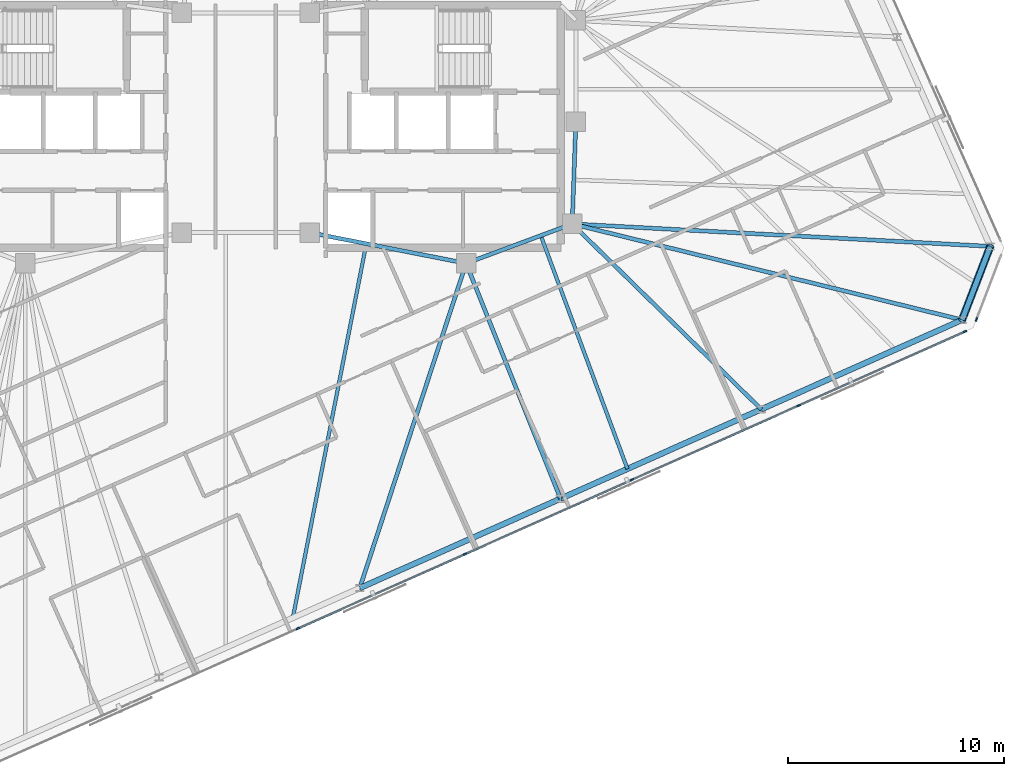
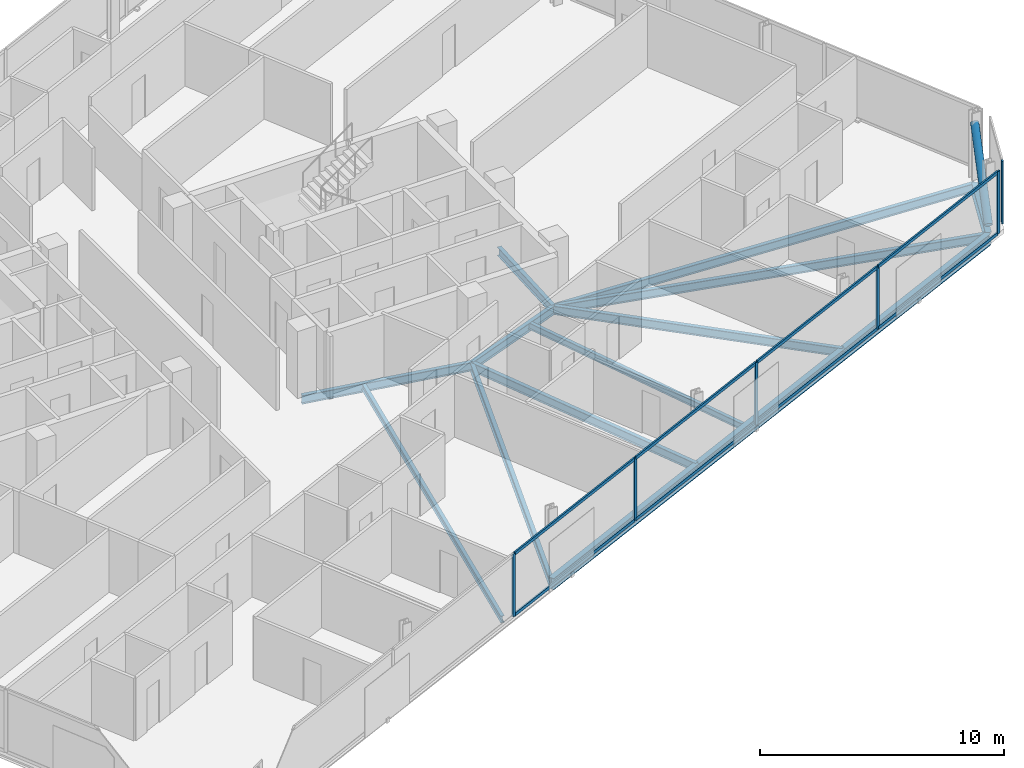
# One storey, part 7 of 19: 15 members, 14 beams, 2 elements without a shape of their own.
"""IFC4 building model written with IfcOpenShell, lengths in metres."""

from ifc_helpers import new_model, si_unit, direction, frame, origin, origin_2d, place, context, subcontext, project, spatial, rectangle, hollow_circle, i_section, extrude, material, material_profile, profile_set, type_object, element, aggregate, save


model = new_model("IFC4")

# Units and contexts
model_context = context("Model", 3, precision=1e-05, world=origin(), true_north=direction((0.0, 1.0)))
body_context = subcontext(model_context, "Body", "Model", "MODEL_VIEW")
ifc_project = project(units=[si_unit("LENGTHUNIT", "METRE"), si_unit("AREAUNIT", "SQUARE_METRE"), si_unit("VOLUMEUNIT", "CUBIC_METRE"), si_unit("PLANEANGLEUNIT", "RADIAN"), si_unit("MASSUNIT", "GRAM", prefix="KILO")], contexts=[model_context])

# Site, building, storey
site_placement = place(None, origin())
site = spatial("IfcSite", under=ifc_project, at=site_placement, CompositionType="ELEMENT")
building_placement = place(site_placement, origin())
building = spatial("IfcBuilding", under=site, at=building_placement, Name="Menara Jurai Vektor", CompositionType="ELEMENT")
storey_placement = place(building_placement, frame((0.0, 0.0, 295.300048828125)))
storey = spatial("IfcBuildingStorey", under=building, at=storey_placement, Name="L79", CompositionType="ELEMENT", Elevation=295.300048828125)

# Curtain wall, members
ifc_material_1 = material(Name="Anodised Pale Aluminium & Low-E Double Glazing", Category="aluminium")
curtain_wall_type = type_object("IfcCurtainWallType", Name="CW-BLK5", PredefinedType="NOTDEFINED", material=ifc_material_1)
curtain_wall_1_placement = place(storey_placement, origin())
curtain_wall_1 = element("IfcCurtainWall", 1, at=curtain_wall_1_placement, inside=storey, type_object=curtain_wall_type, Name="Unitised Curtain Wall L79 F01", PredefinedType="NOTDEFINED")
ifc_material_2 = material(Name="Anodised Pale Aluminium Mullion", Category="aluminium")
ifc_material_profile_1 = material_profile(ifc_material_2, rectangle(XDim=0.074951171875, YDim=0.175048828125, at=origin_2d()), Name="ALU MUL 75x175")
ifc_profile_set_1 = profile_set([ifc_material_profile_1], Name="Anodised Pale Aluminium Mullion")
member_type_1 = type_object("IfcMemberType", Name="CW-BLK5-MUL", PredefinedType="MULLION", material=ifc_profile_set_1)
member_1_placement = place(storey_placement, frame((2.417724609375, -23.190185546875, 0.0), z_axis=(0.0, 0.0, 1.0), x_axis=(-0.406735498684, 0.913545967158, 0.0)))
member_1 = element("IfcMember", 2, at=member_1_placement, type_object=member_type_1, Name="CW-05 mullion 3", PredefinedType="MULLION", context=body_context, shape_type="SweptSolid", body=[
    extrude(rectangle(XDim=0.074951171875, YDim=0.175048828125, at=origin_2d()), origin(), (0.0, 0.0, 1.0), 3.125),
])
member_2_placement = place(storey_placement, frame((10.1279296875, -19.75732421875, 0.0), z_axis=(0.0, 0.0, 1.0), x_axis=(-0.406735498684, 0.913545967158, 0.0)))
member_2 = element("IfcMember", 3, at=member_2_placement, type_object=member_type_1, Name="CW-05 mullion 4", PredefinedType="MULLION", context=body_context, shape_type="SweptSolid", body=[
    extrude(rectangle(XDim=0.074951171875, YDim=0.175048828125, at=origin_2d()), origin(), (0.0, 0.0, 1.0), 3.125),
])
member_3_placement = place(storey_placement, frame((17.83837890625, -16.324462890625, 0.0), z_axis=(0.0, 0.0, 1.0), x_axis=(-0.406735498684, 0.913545967158, 0.0)))
member_3 = element("IfcMember", 4, at=member_3_placement, type_object=member_type_1, Name="CW-05 mullion 5", PredefinedType="MULLION", context=body_context, shape_type="SweptSolid", body=[
    extrude(rectangle(XDim=0.074951171875, YDim=0.175048828125, at=origin_2d()), origin(), (0.0, 0.0, 1.0), 3.125),
])
member_4_placement = place(storey_placement, frame((25.548583984375, -12.8916015625, 0.0), z_axis=(0.0, 0.0, 1.0), x_axis=(-0.406735498684, 0.913545967158, 0.0)))
member_4 = element("IfcMember", 5, at=member_4_placement, type_object=member_type_1, Name="CW-05 mullion 6", PredefinedType="MULLION", context=body_context, shape_type="SweptSolid", body=[
    extrude(rectangle(XDim=0.074951171875, YDim=0.175048828125, at=origin_2d()), origin(), (0.0, 0.0, 1.0), 3.125),
])
member_5_placement = place(storey_placement, frame((33.224853515625, -9.47412109375, 0.0), z_axis=(0.0, 0.0, 1.0), x_axis=(-0.406735498684, 0.913545967158, 0.0)))
member_5 = element("IfcMember", 6, at=member_5_placement, type_object=member_type_1, Name="CW-05 mullion 7", PredefinedType="MULLION", context=body_context, shape_type="SweptSolid", body=[
    extrude(rectangle(XDim=0.074951171875, YDim=0.175048828125, at=origin_2d()), origin(), (0.0, 0.0, 1.0), 3.125),
])

# Curtain wall, member
curtain_wall_2_placement = place(storey_placement, origin())
curtain_wall_2 = element("IfcCurtainWall", 7, at=curtain_wall_2_placement, inside=storey, type_object=curtain_wall_type, Name="Unitised Curtain Wall L79 F02", PredefinedType="NOTDEFINED")
member_6_placement = place(storey_placement, frame((33.755859375, -8.914306640625, 0.0), z_axis=(0.0, 0.0, 1.0), x_axis=(-0.933578193639, 0.358373766287, 0.0)))
member_6 = element("IfcMember", 8, at=member_6_placement, type_object=member_type_1, Name="CW-05 mullion 1", PredefinedType="MULLION", context=body_context, shape_type="SweptSolid", body=[
    extrude(rectangle(XDim=0.074951171875, YDim=0.175048828125, at=origin_2d()), origin(), (0.0, 0.0, 1.0), 3.125),
])
aggregate(curtain_wall_2, [member_6])

# Member
ifc_material_3 = material(Name="Anodised Pale Aluminium Transom", Category="aluminium")
ifc_material_profile_2 = material_profile(ifc_material_3, rectangle(XDim=0.074951171875, YDim=0.155029296875, at=origin_2d()), Name="ALU TRN 75x155")
ifc_profile_set_2 = profile_set([ifc_material_profile_2], Name="Anodised Pale Aluminium Transom")
member_type_2 = type_object("IfcMemberType", Name="CW-BLK5-TRN", PredefinedType="USERDEFINED", material=ifc_profile_set_2)
member_7_placement = place(storey_placement, frame((2.451904296875, -23.175048828125, 0.037353515625), z_axis=(0.913546575494, 0.406734132331, 0.0), x_axis=(-0.406734132331, 0.913546575494, 0.0)))
member_7 = element("IfcMember", 9, at=member_7_placement, type_object=member_type_2, Name="CW-05 transom 3.1", ObjectType="TRANSOM", PredefinedType="USERDEFINED", context=body_context, shape_type="SweptSolid", body=[
    extrude(rectangle(XDim=0.074951171875, YDim=0.155029296875, at=origin_2d()), origin(), (0.0, 0.0, 1.0), 8.364990234375),
])

member_8_placement = place(storey_placement, frame((2.451904296875, -23.175048828125, 3.08740234375), z_axis=(0.913546575494, 0.406734132331, 0.0), x_axis=(-0.406734132331, 0.913546575494, 0.0)))
member_8 = element("IfcMember", 10, at=member_8_placement, type_object=member_type_2, Name="CW-05 transom 3.2", ObjectType="TRANSOM", PredefinedType="USERDEFINED", context=body_context, shape_type="SweptSolid", body=[
    extrude(rectangle(XDim=0.074951171875, YDim=0.155029296875, at=origin_2d()), origin(), (0.0, 0.0, 1.0), 8.364990234375),
])

member_9_placement = place(storey_placement, frame((10.162353515625, -19.7421875, 0.037353515625), z_axis=(0.913541747007, 0.406744977198, 0.0), x_axis=(-0.406744977198, 0.913541747007, 0.0)))
member_9 = element("IfcMember", 11, at=member_9_placement, type_object=member_type_2, Name="CW-05 transom 4.1", ObjectType="TRANSOM", PredefinedType="USERDEFINED", context=body_context, shape_type="SweptSolid", body=[
    extrude(rectangle(XDim=0.074951171875, YDim=0.155029296875, at=origin_2d()), origin(), (0.0, 0.0, 1.0), 8.36474609375),
])

member_10_placement = place(storey_placement, frame((10.162353515625, -19.7421875, 3.08740234375), z_axis=(0.913541747007, 0.406744977198, 0.0), x_axis=(-0.406744977198, 0.913541747007, 0.0)))
member_10 = element("IfcMember", 12, at=member_10_placement, type_object=member_type_2, Name="CW-05 transom 4.2", ObjectType="TRANSOM", PredefinedType="USERDEFINED", context=body_context, shape_type="SweptSolid", body=[
    extrude(rectangle(XDim=0.074951171875, YDim=0.155029296875, at=origin_2d()), origin(), (0.0, 0.0, 1.0), 8.36474609375),
])

member_11_placement = place(storey_placement, frame((17.87255859375, -16.309326171875, 0.037353515625), z_axis=(0.913546575494, 0.406734132331, 0.0), x_axis=(-0.406734132331, 0.913546575494, 0.0)))
member_11 = element("IfcMember", 13, at=member_11_placement, type_object=member_type_2, Name="CW-05 transom 5.1", ObjectType="TRANSOM", PredefinedType="USERDEFINED", context=body_context, shape_type="SweptSolid", body=[
    extrude(rectangle(XDim=0.074951171875, YDim=0.155029296875, at=origin_2d()), origin(), (0.0, 0.0, 1.0), 8.364990234375),
])

member_12_placement = place(storey_placement, frame((17.87255859375, -16.309326171875, 3.08740234375), z_axis=(0.913546575494, 0.406734132331, 0.0), x_axis=(-0.406734132331, 0.913546575494, 0.0)))
member_12 = element("IfcMember", 14, at=member_12_placement, type_object=member_type_2, Name="CW-05 transom 5.2", ObjectType="TRANSOM", PredefinedType="USERDEFINED", context=body_context, shape_type="SweptSolid", body=[
    extrude(rectangle(XDim=0.074951171875, YDim=0.155029296875, at=origin_2d()), origin(), (0.0, 0.0, 1.0), 8.364990234375),
])

member_13_placement = place(storey_placement, frame((25.5830078125, -12.87646484375, 0.037353515625), z_axis=(0.91353811338, 0.406753138159, 0.0), x_axis=(-0.406753138159, 0.91353811338, 0.0)))
member_13 = element("IfcMember", 15, at=member_13_placement, type_object=member_type_2, Name="CW-05 transom 6.1", ObjectType="TRANSOM", PredefinedType="USERDEFINED", context=body_context, shape_type="SweptSolid", body=[
    extrude(rectangle(XDim=0.074951171875, YDim=0.155029296875, at=origin_2d()), origin(), (0.0, 0.0, 1.0), 8.327392578125),
])

member_14_placement = place(storey_placement, frame((25.5830078125, -12.87646484375, 3.08740234375), z_axis=(0.91353811338, 0.406753138159, 0.0), x_axis=(-0.406753138159, 0.91353811338, 0.0)))
member_14 = element("IfcMember", 16, at=member_14_placement, type_object=member_type_2, Name="CW-05 transom 6.2", ObjectType="TRANSOM", PredefinedType="USERDEFINED", context=body_context, shape_type="SweptSolid", body=[
    extrude(rectangle(XDim=0.074951171875, YDim=0.155029296875, at=origin_2d()), origin(), (0.0, 0.0, 1.0), 8.327392578125),
])

aggregate(curtain_wall_1, [member_1, member_2, member_3, member_4, member_5, member_7, member_8, member_9, member_10, member_11, member_12, member_13, member_14])

# Beams
ifc_material_4 = material(Name="Steel S355", Category="steel")
ifc_material_profile_3 = material_profile(ifc_material_4, i_section(OverallWidth=0.18505859375, OverallDepth=0.429931640625, WebThickness=0.010986328125, FlangeThickness=0.01806640625, at=origin_2d()), Name="PG 430x185x76")
ifc_profile_set_3 = profile_set([ifc_material_profile_3], Name="Steel S355")
beam_type_1 = type_object("IfcBeamType", Name="STR-BM-430", PredefinedType="BEAM", material=ifc_profile_set_3)
beam_1_placement = place(storey_placement, frame((15.080078125, -4.5, -0.43994140625), z_axis=(0.035977314146, 0.999352606874, 0.0), x_axis=(-0.999352606874, 0.035977314146, 0.0)))
element("IfcBeam", 17, at=beam_1_placement, inside=storey, type_object=beam_type_1, Name="Core Ring Header Girder L79-CHE-E2", PredefinedType="BEAM", context=body_context, shape_type="SweptSolid", body=[
    extrude(i_section(OverallWidth=0.18505859375, OverallDepth=0.429931640625, WebThickness=0.010986328125, FlangeThickness=0.01806640625, at=origin_2d()), origin(), (0.0, 0.0, 1.0), 4.72314453125),
])
beam_2_placement = place(storey_placement, frame((10.179931640625, -6.320068359375, -0.43994140625), z_axis=(0.937424400887, 0.348188874925, 0.0), x_axis=(-0.348188874925, 0.937424400887, 0.0)))
element("IfcBeam", 18, at=beam_2_placement, inside=storey, type_object=beam_type_1, Name="Core Ring Header Girder L79-CHE-S1", PredefinedType="BEAM", context=body_context, shape_type="SweptSolid", body=[
    extrude(i_section(OverallWidth=0.18505859375, OverallDepth=0.429931640625, WebThickness=0.010986328125, FlangeThickness=0.01806640625, at=origin_2d()), origin(), (0.0, 0.0, 1.0), 5.227294921875),
])
beam_3_placement = place(storey_placement, frame((2.949951171875, -4.89990234375, -0.43994140625), z_axis=(0.981249044334, -0.192744164614, 0.0), x_axis=(0.192744164614, 0.981249044334, 0.0)))
element("IfcBeam", 19, at=beam_3_placement, inside=storey, type_object=beam_type_1, Name="Core Ring Header Girder L79-CHE-S2", PredefinedType="BEAM", context=body_context, shape_type="SweptSolid", body=[
    extrude(i_section(OverallWidth=0.18505859375, OverallDepth=0.429931640625, WebThickness=0.010986328125, FlangeThickness=0.01806640625, at=origin_2d()), origin(), (0.0, 0.0, 1.0), 7.3681640625),
])
beam_4_placement = place(storey_placement, frame((5.267578125, -21.3193359375, -0.43994140625), z_axis=(0.311239486704, 0.950331511587, 0.0), x_axis=(-0.950331511587, 0.311239486704, 0.0)))
element("IfcBeam", 20, at=beam_4_placement, inside=storey, type_object=beam_type_1, Name="Radial Floor Girder L79-S3", PredefinedType="BEAM", context=body_context, shape_type="SweptSolid", body=[
    extrude(i_section(OverallWidth=0.18505859375, OverallDepth=0.429931640625, WebThickness=0.010986328125, FlangeThickness=0.01806640625, at=origin_2d()), origin(), (0.0, 0.0, 1.0), 15.783203125),
])
beam_5_placement = place(storey_placement, frame((14.541015625, -17.1904296875, -0.43994140625), z_axis=(-0.372342852726, 0.928095253745, 0.0), x_axis=(-0.928095253745, -0.372342852726, 0.0)))
element("IfcBeam", 21, at=beam_5_placement, inside=storey, type_object=beam_type_1, Name="Radial Floor Girder L79-S4", PredefinedType="BEAM", context=body_context, shape_type="SweptSolid", body=[
    extrude(i_section(OverallWidth=0.18505859375, OverallDepth=0.429931640625, WebThickness=0.010986328125, FlangeThickness=0.01806640625, at=origin_2d()), origin(), (0.0, 0.0, 1.0), 11.712646484375),
])
beam_6_placement = place(storey_placement, frame((23.814697265625, -13.061767578125, -0.43994140625), z_axis=(-0.714137598149, 0.70000535063, 0.0), x_axis=(-0.70000535063, -0.714137598149, 0.0)))
element("IfcBeam", 22, at=beam_6_placement, inside=storey, type_object=beam_type_1, Name="Radial Floor Girder L79-S5", PredefinedType="BEAM", context=body_context, shape_type="SweptSolid", body=[
    extrude(i_section(OverallWidth=0.18505859375, OverallDepth=0.429931640625, WebThickness=0.010986328125, FlangeThickness=0.01806640625, at=origin_2d()), origin(), (0.0, 0.0, 1.0), 12.23095703125),
])
beam_7_placement = place(storey_placement, frame((33.088134765625, -8.932861328125, -0.43994140625), z_axis=(-0.971013515776, 0.239024584888, 0.0), x_axis=(-0.239024584888, -0.971013515776, 0.0)))
element("IfcBeam", 23, at=beam_7_placement, inside=storey, type_object=beam_type_1, Name="Radial Floor Girder L79-S6", PredefinedType="BEAM", context=body_context, shape_type="SweptSolid", body=[
    extrude(i_section(OverallWidth=0.18505859375, OverallDepth=0.429931640625, WebThickness=0.010986328125, FlangeThickness=0.01806640625, at=origin_2d()), origin(), (0.0, 0.0, 1.0), 18.545654296875),
])
beam_8_placement = place(storey_placement, frame((34.3916015625, -5.536865234375, -0.43994140625), z_axis=(-0.998561718759, 0.053614306189, 0.0), x_axis=(-0.053614306189, -0.998561718759, 0.0)))
element("IfcBeam", 24, at=beam_8_placement, inside=storey, type_object=beam_type_1, Name="Radial Floor Girder L79-E1", PredefinedType="BEAM", context=body_context, shape_type="SweptSolid", body=[
    extrude(i_section(OverallWidth=0.18505859375, OverallDepth=0.429931640625, WebThickness=0.010986328125, FlangeThickness=0.01806640625, at=origin_2d()), origin(), (0.0, 0.0, 1.0), 19.33935546875),
])

# Member
ifc_material_5 = material(Name="Steel S460", Category="steel")
ifc_material_profile_4 = material_profile(ifc_material_5, hollow_circle(Radius=0.177734375, WallThickness=0.01611328125, at=origin_2d()), Name="CHS 355.6x16")
ifc_profile_set_4 = profile_set([ifc_material_profile_4], Name="Steel S460")
member_type_3 = type_object("IfcMemberType", Name="STR-BR-356", PredefinedType="BRACE", material=ifc_profile_set_4)
member_15_placement = place(storey_placement, frame((33.088134765625, -8.932861328125, 0.14990234375), z_axis=(0.290575939475, 0.757054002265, 0.585179340931), x_axis=(-0.933592747566, 0.358335850414, 0.0)))
element("IfcMember", 25, at=member_15_placement, inside=storey, type_object=member_type_3, Name="Exoskeleton Corner Brace L79-1", PredefinedType="BRACE", context=body_context, shape_type="SweptSolid", body=[
    extrude(hollow_circle(Radius=0.177734375, WallThickness=0.01611328125, at=origin_2d()), origin(), (0.0, 0.0, 1.0), 4.48583984375),
])

# Beams
ifc_material_profile_5 = material_profile(ifc_material_4, i_section(OverallWidth=0.1650390625, OverallDepth=0.330078125, WebThickness=0.009033203125, FlangeThickness=0.013916015625, at=origin_2d()), Name="PG 330x165x46")
ifc_profile_set_5 = profile_set([ifc_material_profile_5], Name="Steel S355")
beam_type_2 = type_object("IfcBeamType", Name="STR-JS-330", PredefinedType="JOIST", material=ifc_profile_set_5)
beam_9_placement = place(storey_placement, frame((2.176513671875, -22.695556640625, -0.39013671875), z_axis=(0.192710503651, 0.981255655669, 0.0), x_axis=(-0.981255655669, 0.192710503651, 0.0)))
element("IfcBeam", 26, at=beam_9_placement, inside=storey, type_object=beam_type_2, Name="Radial Secondary Floor Joist L79-JS04", PredefinedType="JOIST", context=body_context, shape_type="SweptSolid", body=[
    extrude(i_section(OverallWidth=0.1650390625, OverallDepth=0.330078125, WebThickness=0.009033203125, FlangeThickness=0.013916015625, at=origin_2d()), origin(), (0.0, 0.0, 1.0), 17.61083984375),
])
beam_10_placement = place(storey_placement, frame((17.632080078125, -15.814208984375, -0.39013671875), z_axis=(-0.348172664726, 0.937430421705, 0.0), x_axis=(-0.937430421705, -0.348172664726, 0.0)))
element("IfcBeam", 27, at=beam_10_placement, inside=storey, type_object=beam_type_2, Name="Radial Secondary Floor Joist L79-JS05", PredefinedType="JOIST", context=body_context, shape_type="SweptSolid", body=[
    extrude(i_section(OverallWidth=0.1650390625, OverallDepth=0.330078125, WebThickness=0.009033203125, FlangeThickness=0.013916015625, at=origin_2d()), origin(), (0.0, 0.0, 1.0), 11.494873046875),
])
ifc_material_profile_6 = material_profile(ifc_material_4, i_section(OverallWidth=0.260009765625, OverallDepth=0.570068359375, WebThickness=0.013916015625, FlangeThickness=0.02392578125, at=origin_2d()), Name="PG 570x260x145")
ifc_profile_set_6 = profile_set([ifc_material_profile_6], Name="Steel S355")
beam_type_3 = type_object("IfcBeamType", Name="STR-SP-570", PredefinedType="SPANDREL", material=ifc_profile_set_6)
for number, where, z_axis, x_axis, name in (
    (28, (5.267578125, -21.3193359375, -0.510009765625), (0.913541582548, 0.406745346568, 0.0), (-0.406745346568, 0.913541582548, 0.0), "Exoskeleton Spandrel Beam L79-03"),
    (29, (14.541015625, -17.1904296875, -0.510009765625), (0.913554497648, 0.406716338284, 0.0), (-0.406716338284, 0.913554497648, 0.0), "Exoskeleton Spandrel Beam L79-04"),
    (30, (23.814697265625, -13.061767578125, -0.510009765625), (0.913541582548, 0.406745346568, 0.0), (-0.406745346568, 0.913541582548, 0.0), "Exoskeleton Spandrel Beam L79-05"),
):
    element("IfcBeam", number, at=place(storey_placement, frame(where, z_axis=z_axis, x_axis=x_axis)), inside=storey, type_object=beam_type_3, Name=name, PredefinedType="SPANDREL", context=body_context, shape_type="SweptSolid", body=[
        extrude(i_section(OverallWidth=0.260009765625, OverallDepth=0.570068359375, WebThickness=0.013916015625, FlangeThickness=0.02392578125, at=origin_2d()), origin(), (0.0, 0.0, 1.0), 10.151123046875),
    ])
beam_11_placement = place(storey_placement, frame((33.088134765625, -8.932861328125, -0.510009765625), z_axis=(0.358335850414, 0.933592747566, 0.0), x_axis=(-0.933592747566, 0.358335850414, 0.0)))
element("IfcBeam", 31, at=beam_11_placement, inside=storey, type_object=beam_type_3, Name="Exoskeleton Spandrel Beam L79-06", PredefinedType="SPANDREL", context=body_context, shape_type="SweptSolid", body=[
    extrude(i_section(OverallWidth=0.260009765625, OverallDepth=0.570068359375, WebThickness=0.013916015625, FlangeThickness=0.02392578125, at=origin_2d()), origin(), (0.0, 0.0, 1.0), 3.637451171875),
])

save(model, "model.ifc")
